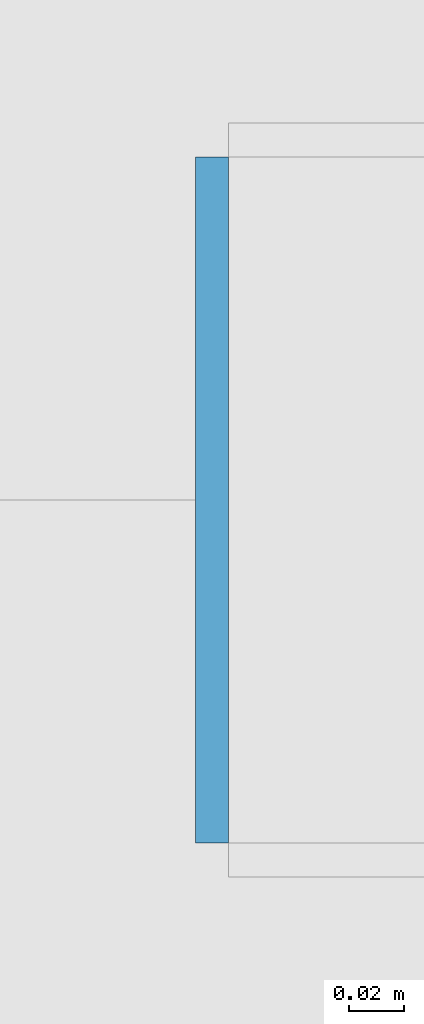
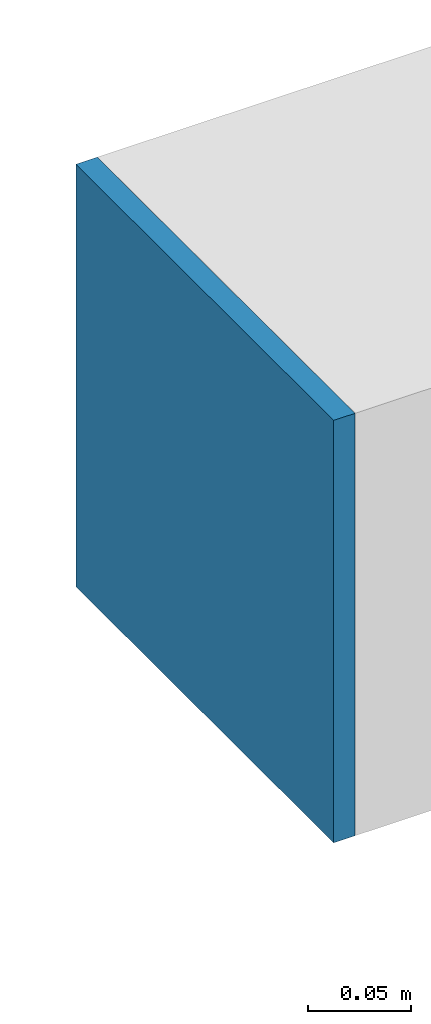
# One storey, part 46 of 59: 1 plate.
"""IFC4 building model written with IfcOpenShell, lengths in metres."""

from ifc_helpers import new_model, si_unit, direction, frame, origin, origin_2d, place, context, subcontext, project, spatial, rectangle, extrude, source, transform, mapped, material, layer, layer_set, type_object, element, save


model = new_model("IFC4")

# Units and contexts
model_context = context("Model", 3, precision=1e-05, world=origin(), true_north=direction((0.0, 1.0)))
body_context = subcontext(model_context, "Body", "Model", "MODEL_VIEW")
ifc_project = project(units=[si_unit("LENGTHUNIT", "METRE"), si_unit("AREAUNIT", "SQUARE_METRE"), si_unit("VOLUMEUNIT", "CUBIC_METRE"), si_unit("PLANEANGLEUNIT", "RADIAN"), si_unit("MASSUNIT", "GRAM", prefix="KILO")], contexts=[model_context])

# Site, building, storey
site_placement = place(None, origin())
site = spatial("IfcSite", under=ifc_project, at=site_placement, CompositionType="ELEMENT")
building_placement = place(site_placement, origin())
building = spatial("IfcBuilding", under=site, at=building_placement, Name="Taldren Reach Tower", CompositionType="ELEMENT")
storey_placement = place(building_placement, frame((0.0, 0.0, 48.300048828125)))
storey = spatial("IfcBuildingStorey", under=building, at=storey_placement, Name="L14", CompositionType="ELEMENT", Elevation=48.300048828125)

# Plate
ifc_material = material(Name="Steel Gr 350 (C350L0)", Category="steel")
ifc_layer = layer(ifc_material, 0.011962890625)
ifc_layer_set = layer_set([ifc_layer], Name="Steel Gr 350 (C350L0)")
plate_type = type_object("IfcPlateType", Name="PL-CAP-250", PredefinedType="SHEET", material=ifc_layer_set)
shared_shape = source(origin(), body_context, "Body", "SweptSolid", [
    extrude(rectangle(XDim=0.011962890625, YDim=0.25, at=origin_2d()), origin(), (0.0, 0.0, 1.0), 0.25),
])
plate_placement = place(storey_placement, frame((4.093994140625, 20.0, 0.094970703125), z_axis=(0.0, 0.0, 1.0), x_axis=(1.0, 0.0, 0.0)))
element("IfcPlate", 1, at=plate_placement, inside=storey, type_object=plate_type, Name="Tie strut end cap plate B1-W2 L14", PredefinedType="SHEET", context=body_context, shape_type="MappedRepresentation", body=[
    mapped(shared_shape, transform((0.0, 0.0, 0.0), scale=1.0)),
])

save(model, "model.ifc")
